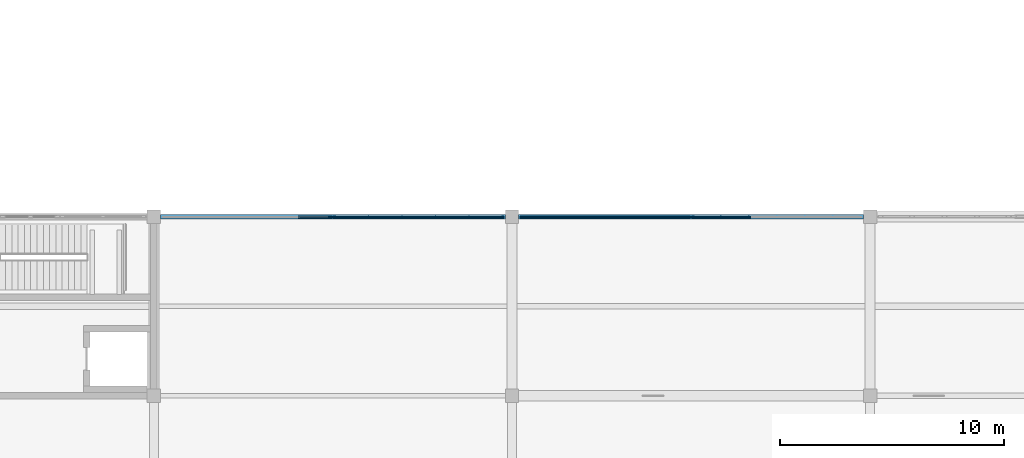
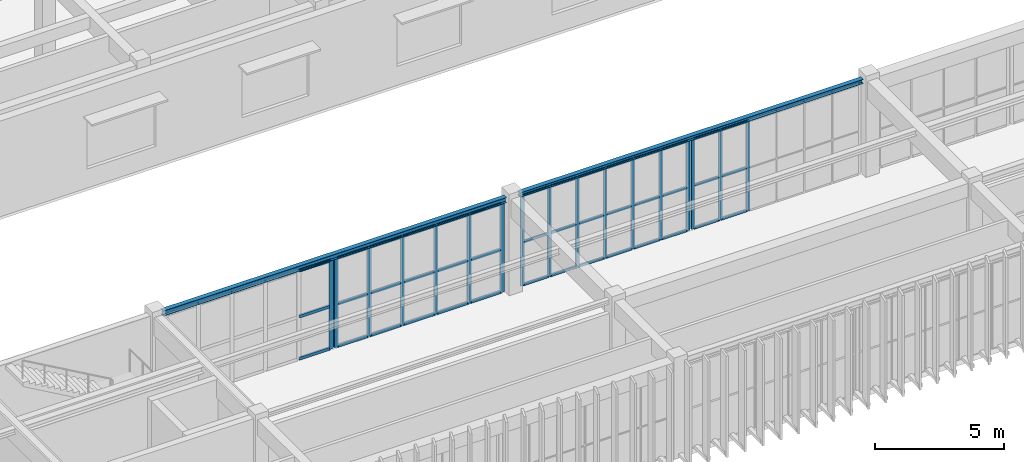
# One storey, part 18 of 64: 59 members, 2 beams, 4 elements without a shape of their own.
"""IFC4 building model written with IfcOpenShell, lengths in metres."""

from ifc_helpers import new_model, si_unit, direction, frame, origin, origin_2d, place, context, subcontext, project, spatial, rectangle, i_section, extrude, material, layer, layer_set, material_profile, profile_set, type_object, element, aggregate, save


model = new_model("IFC4")

# Units and contexts
model_context = context("Model", 3, precision=1e-05, world=origin(), true_north=direction((0.0, 1.0)))
body_context = subcontext(model_context, "Body", "Model", "MODEL_VIEW")
ifc_project = project(units=[si_unit("LENGTHUNIT", "METRE"), si_unit("AREAUNIT", "SQUARE_METRE"), si_unit("VOLUMEUNIT", "CUBIC_METRE"), si_unit("PLANEANGLEUNIT", "RADIAN"), si_unit("MASSUNIT", "GRAM", prefix="KILO")], contexts=[model_context])

# Site, building, storey
site_placement = place(None, origin())
site = spatial("IfcSite", under=ifc_project, at=site_placement, CompositionType="ELEMENT")
building_placement = place(site_placement, origin())
building = spatial("IfcBuilding", under=site, at=building_placement, Name="Cinchona Park Media Centre", CompositionType="ELEMENT")
storey_placement = place(building_placement, frame((0.0, 0.0, 5.39990234375)))
storey = spatial("IfcBuildingStorey", under=building, at=storey_placement, Name="L01", CompositionType="ELEMENT", Elevation=5.39990234375)

# Beams
ifc_material_1 = material(Name="Steel S355", Category="steel")
ifc_material_profile_1 = material_profile(ifc_material_1, i_section(OverallWidth=0.202880859375, OverallDepth=0.251953125, WebThickness=0.008056640625, FlangeThickness=0.013427734375, at=origin_2d()), Name="W250X58")
ifc_profile_set_1 = profile_set([ifc_material_profile_1], Name="Steel S355")
beam_type_1 = type_object("IfcBeamType", Name="BEAM-B09-W250X58", PredefinedType="BEAM", material=ifc_profile_set_1)
beam_1_placement = place(storey_placement, frame((95.10009765625, 87.60009765625, 4.4140625), z_axis=(1.0, 0.0, 0.0), x_axis=(0.0, 1.0, 0.0)))
element("IfcBeam", 1, at=beam_1_placement, inside=storey, type_object=beam_type_1, Name="Beam B09 L01", PredefinedType="BEAM", context=body_context, shape_type="SweptSolid", body=[
    extrude(i_section(OverallWidth=0.202880859375, OverallDepth=0.251953125, WebThickness=0.008056640625, FlangeThickness=0.013427734375, at=origin_2d()), origin(), (0.0, 0.0, 1.0), 15.39990234375),
])
ifc_material_2 = material(Name="Steel S355", Category="steel")
ifc_material_profile_2 = material_profile(ifc_material_2, i_section(OverallWidth=0.202880859375, OverallDepth=0.202880859375, WebThickness=0.007080078125, FlangeThickness=0.010986328125, at=origin_2d()), Name="W200X46")
ifc_profile_set_2 = profile_set([ifc_material_profile_2], Name="Steel S355")
beam_type_2 = type_object("IfcBeamType", Name="BEAM-B10-W200X46", PredefinedType="BEAM", material=ifc_profile_set_2)
beam_2_placement = place(storey_placement, frame((111.10009765625, 87.60009765625, 4.4384765625), z_axis=(1.0, 0.0, 0.0), x_axis=(0.0, 1.0, 0.0)))
element("IfcBeam", 2, at=beam_2_placement, inside=storey, type_object=beam_type_2, Name="Beam B10 L01", PredefinedType="BEAM", context=body_context, shape_type="SweptSolid", body=[
    extrude(i_section(OverallWidth=0.202880859375, OverallDepth=0.202880859375, WebThickness=0.007080078125, FlangeThickness=0.010986328125, at=origin_2d()), origin(), (0.0, 0.0, 1.0), 15.39990234375),
])

# Curtain wall, members
ifc_material_3 = material(Name="Aluminium Curtain Wall Framing", Category="aluminium")
ifc_layer_1 = layer(ifc_material_3, 0.179931640625)
ifc_layer_set_1 = layer_set([ifc_layer_1], Name="Aluminium Curtain Wall Framing")
curtain_wall_type_1 = type_object("IfcCurtainWallType", Name="CW-CW01", PredefinedType="USERDEFINED", material=ifc_layer_set_1)
curtain_wall_1_placement = place(storey_placement, origin())
curtain_wall_1 = element("IfcCurtainWall", 3, at=curtain_wall_1_placement, inside=storey, type_object=curtain_wall_type_1, Name="Curtain Wall CW01 L01", ObjectType="UNITISED CURTAIN WALL", PredefinedType="USERDEFINED")
ifc_material_4 = material(Name="Anodised Aluminium Alloy 6063-T6", Category="aluminium")
ifc_material_profile_3 = material_profile(ifc_material_4, rectangle(XDim=0.06494140625, YDim=0.159912109375, at=origin_2d()), Name="MUL-65X160")
ifc_profile_set_3 = profile_set([ifc_material_profile_3], Name="Anodised Aluminium Alloy 6063-T6")
member_type_1 = type_object("IfcMemberType", Name="MULLION-MUL01", PredefinedType="MULLION", material=ifc_profile_set_3)
member_1_placement = place(storey_placement, frame((111.25244140625, 87.60009765625, 0.050048828125), z_axis=(0.0, 0.0, 1.0), x_axis=(0.0, 1.0, 0.0)))
member_1 = element("IfcMember", 4, at=member_1_placement, type_object=member_type_1, Name="CW01 mullion 1", PredefinedType="MULLION", context=body_context, shape_type="SweptSolid", body=[
    extrude(rectangle(XDim=0.06494140625, YDim=0.159912109375, at=origin_2d()), origin(), (0.0, 0.0, 1.0), 4.287109375),
])
member_2_placement = place(storey_placement, frame((112.469970703125, 87.60009765625, 0.050048828125), z_axis=(0.0, 0.0, 1.0), x_axis=(0.0, 1.0, 0.0)))
member_2 = element("IfcMember", 5, at=member_2_placement, type_object=member_type_1, Name="CW01 mullion 2", PredefinedType="MULLION", context=body_context, shape_type="SweptSolid", body=[
    extrude(rectangle(XDim=0.06494140625, YDim=0.159912109375, at=origin_2d()), origin(), (0.0, 0.0, 1.0), 4.287109375),
])
member_3_placement = place(storey_placement, frame((113.719970703125, 87.60009765625, 0.050048828125), z_axis=(0.0, 0.0, 1.0), x_axis=(0.0, 1.0, 0.0)))
member_3 = element("IfcMember", 6, at=member_3_placement, type_object=member_type_1, Name="CW01 mullion 3", PredefinedType="MULLION", context=body_context, shape_type="SweptSolid", body=[
    extrude(rectangle(XDim=0.06494140625, YDim=0.159912109375, at=origin_2d()), origin(), (0.0, 0.0, 1.0), 4.287109375),
])
member_4_placement = place(storey_placement, frame((114.969970703125, 87.60009765625, 0.050048828125), z_axis=(0.0, 0.0, 1.0), x_axis=(0.0, 1.0, 0.0)))
member_4 = element("IfcMember", 7, at=member_4_placement, type_object=member_type_1, Name="CW01 mullion 4", PredefinedType="MULLION", context=body_context, shape_type="SweptSolid", body=[
    extrude(rectangle(XDim=0.06494140625, YDim=0.159912109375, at=origin_2d()), origin(), (0.0, 0.0, 1.0), 4.287109375),
])
member_5_placement = place(storey_placement, frame((116.219970703125, 87.60009765625, 0.050048828125), z_axis=(0.0, 0.0, 1.0), x_axis=(0.0, 1.0, 0.0)))
member_5 = element("IfcMember", 8, at=member_5_placement, type_object=member_type_1, Name="CW01 mullion 5", PredefinedType="MULLION", context=body_context, shape_type="SweptSolid", body=[
    extrude(rectangle(XDim=0.06494140625, YDim=0.159912109375, at=origin_2d()), origin(), (0.0, 0.0, 1.0), 4.287109375),
])
member_6_placement = place(storey_placement, frame((117.469970703125, 87.60009765625, 0.050048828125), z_axis=(0.0, 0.0, 1.0), x_axis=(0.0, 1.0, 0.0)))
member_6 = element("IfcMember", 9, at=member_6_placement, type_object=member_type_1, Name="CW01 mullion 6", PredefinedType="MULLION", context=body_context, shape_type="SweptSolid", body=[
    extrude(rectangle(XDim=0.06494140625, YDim=0.159912109375, at=origin_2d()), origin(), (0.0, 0.0, 1.0), 4.287109375),
])
member_7_placement = place(storey_placement, frame((118.6875, 87.60009765625, 0.050048828125), z_axis=(0.0, 0.0, 1.0), x_axis=(0.0, 1.0, 0.0)))
member_7 = element("IfcMember", 10, at=member_7_placement, type_object=member_type_1, Name="CW01 mullion 7", PredefinedType="MULLION", context=body_context, shape_type="SweptSolid", body=[
    extrude(rectangle(XDim=0.06494140625, YDim=0.159912109375, at=origin_2d()), origin(), (0.0, 0.0, 1.0), 4.287109375),
])

ifc_material_5 = material(Name="Aluminium Curtain Wall Framing", Category="aluminium")
ifc_layer_2 = layer(ifc_material_5, 0.195068359375)
ifc_layer_set_2 = layer_set([ifc_layer_2], Name="Aluminium Curtain Wall Framing")
curtain_wall_type_2 = type_object("IfcCurtainWallType", Name="CW-CW02", PredefinedType="USERDEFINED", material=ifc_layer_set_2)
curtain_wall_2_placement = place(storey_placement, origin())
curtain_wall_2 = element("IfcCurtainWall", 11, at=curtain_wall_2_placement, inside=storey, type_object=curtain_wall_type_2, Name="Curtain Wall CW02 L01", ObjectType="UNITISED CURTAIN WALL", PredefinedType="USERDEFINED")
member_8_placement = place(storey_placement, frame((118.91259765625, 87.60009765625, 0.050048828125), z_axis=(0.0, 0.0, 1.0), x_axis=(0.0, 1.0, 0.0)))
member_8 = element("IfcMember", 12, at=member_8_placement, type_object=member_type_1, Name="CW02 mullion 1", PredefinedType="MULLION", context=body_context, shape_type="SweptSolid", body=[
    extrude(rectangle(XDim=0.06494140625, YDim=0.159912109375, at=origin_2d()), origin(), (0.0, 0.0, 1.0), 4.287109375),
])
member_9_placement = place(storey_placement, frame((120.1298828125, 87.60009765625, 0.050048828125), z_axis=(0.0, 0.0, 1.0), x_axis=(0.0, 1.0, 0.0)))
member_9 = element("IfcMember", 13, at=member_9_placement, type_object=member_type_1, Name="CW02 mullion 2", PredefinedType="MULLION", context=body_context, shape_type="SweptSolid", body=[
    extrude(rectangle(XDim=0.06494140625, YDim=0.159912109375, at=origin_2d()), origin(), (0.0, 0.0, 1.0), 4.287109375),
])
member_10_placement = place(storey_placement, frame((121.3798828125, 87.60009765625, 0.050048828125), z_axis=(0.0, 0.0, 1.0), x_axis=(0.0, 1.0, 0.0)))
member_10 = element("IfcMember", 14, at=member_10_placement, type_object=member_type_1, Name="CW02 mullion 3", PredefinedType="MULLION", context=body_context, shape_type="SweptSolid", body=[
    extrude(rectangle(XDim=0.06494140625, YDim=0.159912109375, at=origin_2d()), origin(), (0.0, 0.0, 1.0), 4.287109375),
])

# Curtain wall, member
ifc_material_6 = material(Name="Aluminium Curtain Wall Framing", Category="aluminium")
ifc_layer_3 = layer(ifc_material_6, 0.284912109375)
ifc_layer_set_3 = layer_set([ifc_layer_3], Name="Aluminium Curtain Wall Framing")
curtain_wall_type_3 = type_object("IfcCurtainWallType", Name="CW-CW08", PredefinedType="USERDEFINED", material=ifc_layer_set_3)
curtain_wall_3_placement = place(storey_placement, origin())
curtain_wall_3 = element("IfcCurtainWall", 15, at=curtain_wall_3_placement, inside=storey, type_object=curtain_wall_type_3, Name="Curtain Wall CW08 L01", ObjectType="UNITISED CURTAIN WALL", PredefinedType="USERDEFINED")
ifc_material_7 = material(Name="Anodised Aluminium Alloy 6063-T6", Category="aluminium")
ifc_material_profile_4 = material_profile(ifc_material_7, rectangle(XDim=0.070068359375, YDim=0.179931640625, at=origin_2d()), Name="MUL-70X180")
ifc_profile_set_4 = profile_set([ifc_material_profile_4], Name="Anodised Aluminium Alloy 6063-T6")
member_type_2 = type_object("IfcMemberType", Name="MULLION-MUL02", PredefinedType="MULLION", material=ifc_profile_set_4)
member_11_placement = place(storey_placement, frame((102.68505859375, 87.60009765625, 0.050048828125), z_axis=(0.0, 0.0, 1.0), x_axis=(0.0, 1.0, 0.0)))
member_11 = element("IfcMember", 16, at=member_11_placement, type_object=member_type_2, Name="CW08 mullion 6", PredefinedType="MULLION", context=body_context, shape_type="SweptSolid", body=[
    extrude(rectangle(XDim=0.070068359375, YDim=0.179931640625, at=origin_2d()), origin(), (0.0, 0.0, 1.0), 4.238037109375),
])

# Curtain wall, members
ifc_material_8 = material(Name="Aluminium Curtain Wall Framing", Category="aluminium")
ifc_layer_4 = layer(ifc_material_8, 0.300048828125)
ifc_layer_set_4 = layer_set([ifc_layer_4], Name="Aluminium Curtain Wall Framing")
curtain_wall_type_4 = type_object("IfcCurtainWallType", Name="CW-CW09", PredefinedType="USERDEFINED", material=ifc_layer_set_4)
curtain_wall_4_placement = place(storey_placement, origin())
curtain_wall_4 = element("IfcCurtainWall", 17, at=curtain_wall_4_placement, inside=storey, type_object=curtain_wall_type_4, Name="Curtain Wall CW09 L01", ObjectType="UNITISED CURTAIN WALL", PredefinedType="USERDEFINED")
member_12_placement = place(storey_placement, frame((102.9150390625, 87.60009765625, 0.050048828125), z_axis=(0.0, 0.0, 1.0), x_axis=(0.0, 1.0, 0.0)))
member_12 = element("IfcMember", 18, at=member_12_placement, type_object=member_type_2, Name="CW09 mullion 1", PredefinedType="MULLION", context=body_context, shape_type="SweptSolid", body=[
    extrude(rectangle(XDim=0.070068359375, YDim=0.179931640625, at=origin_2d()), origin(), (0.0, 0.0, 1.0), 4.238037109375),
])
member_13_placement = place(storey_placement, frame((104.3798828125, 87.60009765625, 0.050048828125), z_axis=(0.0, 0.0, 1.0), x_axis=(0.0, 1.0, 0.0)))
member_13 = element("IfcMember", 19, at=member_13_placement, type_object=member_type_2, Name="CW09 mullion 2", PredefinedType="MULLION", context=body_context, shape_type="SweptSolid", body=[
    extrude(rectangle(XDim=0.070068359375, YDim=0.179931640625, at=origin_2d()), origin(), (0.0, 0.0, 1.0), 4.238037109375),
])
member_14_placement = place(storey_placement, frame((105.8798828125, 87.60009765625, 0.050048828125), z_axis=(0.0, 0.0, 1.0), x_axis=(0.0, 1.0, 0.0)))
member_14 = element("IfcMember", 20, at=member_14_placement, type_object=member_type_2, Name="CW09 mullion 3", PredefinedType="MULLION", context=body_context, shape_type="SweptSolid", body=[
    extrude(rectangle(XDim=0.070068359375, YDim=0.179931640625, at=origin_2d()), origin(), (0.0, 0.0, 1.0), 4.238037109375),
])
member_15_placement = place(storey_placement, frame((107.3798828125, 87.60009765625, 0.050048828125), z_axis=(0.0, 0.0, 1.0), x_axis=(0.0, 1.0, 0.0)))
member_15 = element("IfcMember", 21, at=member_15_placement, type_object=member_type_2, Name="CW09 mullion 4", PredefinedType="MULLION", context=body_context, shape_type="SweptSolid", body=[
    extrude(rectangle(XDim=0.070068359375, YDim=0.179931640625, at=origin_2d()), origin(), (0.0, 0.0, 1.0), 4.238037109375),
])
member_16_placement = place(storey_placement, frame((108.8798828125, 87.60009765625, 0.050048828125), z_axis=(0.0, 0.0, 1.0), x_axis=(0.0, 1.0, 0.0)))
member_16 = element("IfcMember", 22, at=member_16_placement, type_object=member_type_2, Name="CW09 mullion 5", PredefinedType="MULLION", context=body_context, shape_type="SweptSolid", body=[
    extrude(rectangle(XDim=0.070068359375, YDim=0.179931640625, at=origin_2d()), origin(), (0.0, 0.0, 1.0), 4.238037109375),
])
member_17_placement = place(storey_placement, frame((110.344970703125, 87.60009765625, 0.050048828125), z_axis=(0.0, 0.0, 1.0), x_axis=(0.0, 1.0, 0.0)))
member_17 = element("IfcMember", 23, at=member_17_placement, type_object=member_type_2, Name="CW09 mullion 6", PredefinedType="MULLION", context=body_context, shape_type="SweptSolid", body=[
    extrude(rectangle(XDim=0.070068359375, YDim=0.179931640625, at=origin_2d()), origin(), (0.0, 0.0, 1.0), 4.238037109375),
])

# Member
ifc_material_9 = material(Name="Anodised Aluminium Alloy 6063-T6", Category="aluminium")
ifc_material_profile_5 = material_profile(ifc_material_9, rectangle(XDim=0.06494140625, YDim=0.1201171875, at=origin_2d()), Name="TRN-65X120")
ifc_profile_set_5 = profile_set([ifc_material_profile_5], Name="Anodised Aluminium Alloy 6063-T6")
member_type_3 = type_object("IfcMemberType", Name="TRANSOM-TRN01", PredefinedType="USERDEFINED", material=ifc_profile_set_5)
member_18_placement = place(storey_placement, frame((111.284912109375, 87.60009765625, 0.08251953125), z_axis=(1.0, 0.0, 0.0), x_axis=(0.0, 1.0, 0.0)))
member_18 = element("IfcMember", 24, at=member_18_placement, type_object=member_type_3, Name="CW01 transom 1.1", ObjectType="TRANSOM", PredefinedType="USERDEFINED", context=body_context, shape_type="SweptSolid", body=[
    extrude(rectangle(XDim=0.06494140625, YDim=0.1201171875, at=origin_2d()), origin(), (0.0, 0.0, 1.0), 1.152587890625),
])

member_19_placement = place(storey_placement, frame((111.284912109375, 87.60009765625, 2.108154296875), z_axis=(1.0, 0.0, 0.0), x_axis=(0.0, 1.0, 0.0)))
member_19 = element("IfcMember", 25, at=member_19_placement, type_object=member_type_3, Name="CW01 transom 1.2", ObjectType="TRANSOM", PredefinedType="USERDEFINED", context=body_context, shape_type="SweptSolid", body=[
    extrude(rectangle(XDim=0.06494140625, YDim=0.1201171875, at=origin_2d()), origin(), (0.0, 0.0, 1.0), 1.152587890625),
])

member_20_placement = place(storey_placement, frame((111.284912109375, 87.60009765625, 4.3046875), z_axis=(1.0, 0.0, 0.0), x_axis=(0.0, 1.0, 0.0)))
member_20 = element("IfcMember", 26, at=member_20_placement, type_object=member_type_3, Name="CW01 transom 1.3", ObjectType="TRANSOM", PredefinedType="USERDEFINED", context=body_context, shape_type="SweptSolid", body=[
    extrude(rectangle(XDim=0.06494140625, YDim=0.1201171875, at=origin_2d()), origin(), (0.0, 0.0, 1.0), 1.152587890625),
])

member_21_placement = place(storey_placement, frame((112.50244140625, 87.60009765625, 0.08251953125), z_axis=(1.0, 0.0, 0.0), x_axis=(0.0, 1.0, 0.0)))
member_21 = element("IfcMember", 27, at=member_21_placement, type_object=member_type_3, Name="CW01 transom 2.1", ObjectType="TRANSOM", PredefinedType="USERDEFINED", context=body_context, shape_type="SweptSolid", body=[
    extrude(rectangle(XDim=0.06494140625, YDim=0.1201171875, at=origin_2d()), origin(), (0.0, 0.0, 1.0), 1.18505859375),
])

member_22_placement = place(storey_placement, frame((112.50244140625, 87.60009765625, 2.108154296875), z_axis=(1.0, 0.0, 0.0), x_axis=(0.0, 1.0, 0.0)))
member_22 = element("IfcMember", 28, at=member_22_placement, type_object=member_type_3, Name="CW01 transom 2.2", ObjectType="TRANSOM", PredefinedType="USERDEFINED", context=body_context, shape_type="SweptSolid", body=[
    extrude(rectangle(XDim=0.06494140625, YDim=0.1201171875, at=origin_2d()), origin(), (0.0, 0.0, 1.0), 1.18505859375),
])

member_23_placement = place(storey_placement, frame((112.50244140625, 87.60009765625, 4.3046875), z_axis=(1.0, 0.0, 0.0), x_axis=(0.0, 1.0, 0.0)))
member_23 = element("IfcMember", 29, at=member_23_placement, type_object=member_type_3, Name="CW01 transom 2.3", ObjectType="TRANSOM", PredefinedType="USERDEFINED", context=body_context, shape_type="SweptSolid", body=[
    extrude(rectangle(XDim=0.06494140625, YDim=0.1201171875, at=origin_2d()), origin(), (0.0, 0.0, 1.0), 1.18505859375),
])

member_24_placement = place(storey_placement, frame((113.75244140625, 87.60009765625, 0.08251953125), z_axis=(1.0, 0.0, 0.0), x_axis=(0.0, 1.0, 0.0)))
member_24 = element("IfcMember", 30, at=member_24_placement, type_object=member_type_3, Name="CW01 transom 3.1", ObjectType="TRANSOM", PredefinedType="USERDEFINED", context=body_context, shape_type="SweptSolid", body=[
    extrude(rectangle(XDim=0.06494140625, YDim=0.1201171875, at=origin_2d()), origin(), (0.0, 0.0, 1.0), 1.18505859375),
])

member_25_placement = place(storey_placement, frame((113.75244140625, 87.60009765625, 2.108154296875), z_axis=(1.0, 0.0, 0.0), x_axis=(0.0, 1.0, 0.0)))
member_25 = element("IfcMember", 31, at=member_25_placement, type_object=member_type_3, Name="CW01 transom 3.2", ObjectType="TRANSOM", PredefinedType="USERDEFINED", context=body_context, shape_type="SweptSolid", body=[
    extrude(rectangle(XDim=0.06494140625, YDim=0.1201171875, at=origin_2d()), origin(), (0.0, 0.0, 1.0), 1.18505859375),
])

member_26_placement = place(storey_placement, frame((113.75244140625, 87.60009765625, 4.3046875), z_axis=(1.0, 0.0, 0.0), x_axis=(0.0, 1.0, 0.0)))
member_26 = element("IfcMember", 32, at=member_26_placement, type_object=member_type_3, Name="CW01 transom 3.3", ObjectType="TRANSOM", PredefinedType="USERDEFINED", context=body_context, shape_type="SweptSolid", body=[
    extrude(rectangle(XDim=0.06494140625, YDim=0.1201171875, at=origin_2d()), origin(), (0.0, 0.0, 1.0), 1.18505859375),
])

member_27_placement = place(storey_placement, frame((115.00244140625, 87.60009765625, 0.08251953125), z_axis=(1.0, 0.0, 0.0), x_axis=(0.0, 1.0, 0.0)))
member_27 = element("IfcMember", 33, at=member_27_placement, type_object=member_type_3, Name="CW01 transom 4.1", ObjectType="TRANSOM", PredefinedType="USERDEFINED", context=body_context, shape_type="SweptSolid", body=[
    extrude(rectangle(XDim=0.06494140625, YDim=0.1201171875, at=origin_2d()), origin(), (0.0, 0.0, 1.0), 1.18505859375),
])

member_28_placement = place(storey_placement, frame((115.00244140625, 87.60009765625, 2.108154296875), z_axis=(1.0, 0.0, 0.0), x_axis=(0.0, 1.0, 0.0)))
member_28 = element("IfcMember", 34, at=member_28_placement, type_object=member_type_3, Name="CW01 transom 4.2", ObjectType="TRANSOM", PredefinedType="USERDEFINED", context=body_context, shape_type="SweptSolid", body=[
    extrude(rectangle(XDim=0.06494140625, YDim=0.1201171875, at=origin_2d()), origin(), (0.0, 0.0, 1.0), 1.18505859375),
])

member_29_placement = place(storey_placement, frame((115.00244140625, 87.60009765625, 4.3046875), z_axis=(1.0, 0.0, 0.0), x_axis=(0.0, 1.0, 0.0)))
member_29 = element("IfcMember", 35, at=member_29_placement, type_object=member_type_3, Name="CW01 transom 4.3", ObjectType="TRANSOM", PredefinedType="USERDEFINED", context=body_context, shape_type="SweptSolid", body=[
    extrude(rectangle(XDim=0.06494140625, YDim=0.1201171875, at=origin_2d()), origin(), (0.0, 0.0, 1.0), 1.18505859375),
])

member_30_placement = place(storey_placement, frame((116.25244140625, 87.60009765625, 0.08251953125), z_axis=(1.0, 0.0, 0.0), x_axis=(0.0, 1.0, 0.0)))
member_30 = element("IfcMember", 36, at=member_30_placement, type_object=member_type_3, Name="CW01 transom 5.1", ObjectType="TRANSOM", PredefinedType="USERDEFINED", context=body_context, shape_type="SweptSolid", body=[
    extrude(rectangle(XDim=0.06494140625, YDim=0.1201171875, at=origin_2d()), origin(), (0.0, 0.0, 1.0), 1.18505859375),
])

member_31_placement = place(storey_placement, frame((116.25244140625, 87.60009765625, 2.108154296875), z_axis=(1.0, 0.0, 0.0), x_axis=(0.0, 1.0, 0.0)))
member_31 = element("IfcMember", 37, at=member_31_placement, type_object=member_type_3, Name="CW01 transom 5.2", ObjectType="TRANSOM", PredefinedType="USERDEFINED", context=body_context, shape_type="SweptSolid", body=[
    extrude(rectangle(XDim=0.06494140625, YDim=0.1201171875, at=origin_2d()), origin(), (0.0, 0.0, 1.0), 1.18505859375),
])

member_32_placement = place(storey_placement, frame((116.25244140625, 87.60009765625, 4.3046875), z_axis=(1.0, 0.0, 0.0), x_axis=(0.0, 1.0, 0.0)))
member_32 = element("IfcMember", 38, at=member_32_placement, type_object=member_type_3, Name="CW01 transom 5.3", ObjectType="TRANSOM", PredefinedType="USERDEFINED", context=body_context, shape_type="SweptSolid", body=[
    extrude(rectangle(XDim=0.06494140625, YDim=0.1201171875, at=origin_2d()), origin(), (0.0, 0.0, 1.0), 1.18505859375),
])

member_33_placement = place(storey_placement, frame((117.50244140625, 87.60009765625, 0.08251953125), z_axis=(1.0, 0.0, 0.0), x_axis=(0.0, 1.0, 0.0)))
member_33 = element("IfcMember", 39, at=member_33_placement, type_object=member_type_3, Name="CW01 transom 6.1", ObjectType="TRANSOM", PredefinedType="USERDEFINED", context=body_context, shape_type="SweptSolid", body=[
    extrude(rectangle(XDim=0.06494140625, YDim=0.1201171875, at=origin_2d()), origin(), (0.0, 0.0, 1.0), 1.152587890625),
])

member_34_placement = place(storey_placement, frame((117.50244140625, 87.60009765625, 2.108154296875), z_axis=(1.0, 0.0, 0.0), x_axis=(0.0, 1.0, 0.0)))
member_34 = element("IfcMember", 40, at=member_34_placement, type_object=member_type_3, Name="CW01 transom 6.2", ObjectType="TRANSOM", PredefinedType="USERDEFINED", context=body_context, shape_type="SweptSolid", body=[
    extrude(rectangle(XDim=0.06494140625, YDim=0.1201171875, at=origin_2d()), origin(), (0.0, 0.0, 1.0), 1.152587890625),
])

member_35_placement = place(storey_placement, frame((117.50244140625, 87.60009765625, 4.3046875), z_axis=(1.0, 0.0, 0.0), x_axis=(0.0, 1.0, 0.0)))
member_35 = element("IfcMember", 41, at=member_35_placement, type_object=member_type_3, Name="CW01 transom 6.3", ObjectType="TRANSOM", PredefinedType="USERDEFINED", context=body_context, shape_type="SweptSolid", body=[
    extrude(rectangle(XDim=0.06494140625, YDim=0.1201171875, at=origin_2d()), origin(), (0.0, 0.0, 1.0), 1.152587890625),
])

aggregate(curtain_wall_1, [member_1, member_2, member_3, member_4, member_5, member_6, member_7, member_18, member_19, member_20, member_21, member_22, member_23, member_24, member_25, member_26, member_27, member_28, member_29, member_30, member_31, member_32, member_33, member_34, member_35])

member_36_placement = place(storey_placement, frame((118.945068359375, 87.60009765625, 0.08251953125), z_axis=(1.0, 0.0, 0.0), x_axis=(0.0, 1.0, 0.0)))
member_36 = element("IfcMember", 42, at=member_36_placement, type_object=member_type_3, Name="CW02 transom 1.1", ObjectType="TRANSOM", PredefinedType="USERDEFINED", context=body_context, shape_type="SweptSolid", body=[
    extrude(rectangle(XDim=0.06494140625, YDim=0.1201171875, at=origin_2d()), origin(), (0.0, 0.0, 1.0), 1.15234375),
])

member_37_placement = place(storey_placement, frame((118.945068359375, 87.60009765625, 2.108154296875), z_axis=(1.0, 0.0, 0.0), x_axis=(0.0, 1.0, 0.0)))
member_37 = element("IfcMember", 43, at=member_37_placement, type_object=member_type_3, Name="CW02 transom 1.2", ObjectType="TRANSOM", PredefinedType="USERDEFINED", context=body_context, shape_type="SweptSolid", body=[
    extrude(rectangle(XDim=0.06494140625, YDim=0.1201171875, at=origin_2d()), origin(), (0.0, 0.0, 1.0), 1.15234375),
])

member_38_placement = place(storey_placement, frame((118.945068359375, 87.60009765625, 4.3046875), z_axis=(1.0, 0.0, 0.0), x_axis=(0.0, 1.0, 0.0)))
member_38 = element("IfcMember", 44, at=member_38_placement, type_object=member_type_3, Name="CW02 transom 1.3", ObjectType="TRANSOM", PredefinedType="USERDEFINED", context=body_context, shape_type="SweptSolid", body=[
    extrude(rectangle(XDim=0.06494140625, YDim=0.1201171875, at=origin_2d()), origin(), (0.0, 0.0, 1.0), 1.15234375),
])

member_39_placement = place(storey_placement, frame((120.16259765625, 87.60009765625, 0.08251953125), z_axis=(1.0, 0.0, 0.0), x_axis=(0.0, 1.0, 0.0)))
member_39 = element("IfcMember", 45, at=member_39_placement, type_object=member_type_3, Name="CW02 transom 2.1", ObjectType="TRANSOM", PredefinedType="USERDEFINED", context=body_context, shape_type="SweptSolid", body=[
    extrude(rectangle(XDim=0.06494140625, YDim=0.1201171875, at=origin_2d()), origin(), (0.0, 0.0, 1.0), 1.184814453125),
])

member_40_placement = place(storey_placement, frame((120.16259765625, 87.60009765625, 2.108154296875), z_axis=(1.0, 0.0, 0.0), x_axis=(0.0, 1.0, 0.0)))
member_40 = element("IfcMember", 46, at=member_40_placement, type_object=member_type_3, Name="CW02 transom 2.2", ObjectType="TRANSOM", PredefinedType="USERDEFINED", context=body_context, shape_type="SweptSolid", body=[
    extrude(rectangle(XDim=0.06494140625, YDim=0.1201171875, at=origin_2d()), origin(), (0.0, 0.0, 1.0), 1.184814453125),
])

member_41_placement = place(storey_placement, frame((120.16259765625, 87.60009765625, 4.3046875), z_axis=(1.0, 0.0, 0.0), x_axis=(0.0, 1.0, 0.0)))
member_41 = element("IfcMember", 47, at=member_41_placement, type_object=member_type_3, Name="CW02 transom 2.3", ObjectType="TRANSOM", PredefinedType="USERDEFINED", context=body_context, shape_type="SweptSolid", body=[
    extrude(rectangle(XDim=0.06494140625, YDim=0.1201171875, at=origin_2d()), origin(), (0.0, 0.0, 1.0), 1.184814453125),
])

aggregate(curtain_wall_2, [member_8, member_9, member_10, member_36, member_37, member_38, member_39, member_40, member_41])

ifc_material_10 = material(Name="Anodised Aluminium Alloy 6063-T6", Category="aluminium")
ifc_material_profile_6 = material_profile(ifc_material_10, rectangle(XDim=0.070068359375, YDim=0.139892578125, at=origin_2d()), Name="TRN-70X140")
ifc_profile_set_6 = profile_set([ifc_material_profile_6], Name="Anodised Aluminium Alloy 6063-T6")
member_type_4 = type_object("IfcMemberType", Name="TRANSOM-TRN02", PredefinedType="USERDEFINED", material=ifc_profile_set_6)
member_42_placement = place(storey_placement, frame((101.2548828125, 87.60009765625, 0.085205078125), z_axis=(1.0, 0.0, 0.0), x_axis=(0.0, 1.0, 0.0)))
member_42 = element("IfcMember", 48, at=member_42_placement, type_object=member_type_4, Name="CW08 transom 5.1", ObjectType="TRANSOM", PredefinedType="USERDEFINED", context=body_context, shape_type="SweptSolid", body=[
    extrude(rectangle(XDim=0.070068359375, YDim=0.139892578125, at=origin_2d()), origin(), (0.0, 0.0, 1.0), 1.39501953125),
])

member_43_placement = place(storey_placement, frame((101.2548828125, 87.60009765625, 2.083984375), z_axis=(1.0, 0.0, 0.0), x_axis=(0.0, 1.0, 0.0)))
member_43 = element("IfcMember", 49, at=member_43_placement, type_object=member_type_4, Name="CW08 transom 5.2", ObjectType="TRANSOM", PredefinedType="USERDEFINED", context=body_context, shape_type="SweptSolid", body=[
    extrude(rectangle(XDim=0.070068359375, YDim=0.139892578125, at=origin_2d()), origin(), (0.0, 0.0, 1.0), 1.39501953125),
])

member_44_placement = place(storey_placement, frame((101.2548828125, 87.60009765625, 4.253173828125), z_axis=(1.0, 0.0, 0.0), x_axis=(0.0, 1.0, 0.0)))
member_44 = element("IfcMember", 50, at=member_44_placement, type_object=member_type_4, Name="CW08 transom 5.3", ObjectType="TRANSOM", PredefinedType="USERDEFINED", context=body_context, shape_type="SweptSolid", body=[
    extrude(rectangle(XDim=0.070068359375, YDim=0.139892578125, at=origin_2d()), origin(), (0.0, 0.0, 1.0), 1.39501953125),
])

aggregate(curtain_wall_3, [member_11, member_42, member_43, member_44])

member_45_placement = place(storey_placement, frame((102.949951171875, 87.60009765625, 0.085205078125), z_axis=(1.0, 0.0, 0.0), x_axis=(0.0, 1.0, 0.0)))
member_45 = element("IfcMember", 51, at=member_45_placement, type_object=member_type_4, Name="CW09 transom 1.1", ObjectType="TRANSOM", PredefinedType="USERDEFINED", context=body_context, shape_type="SweptSolid", body=[
    extrude(rectangle(XDim=0.070068359375, YDim=0.139892578125, at=origin_2d()), origin(), (0.0, 0.0, 1.0), 1.39501953125),
])

member_46_placement = place(storey_placement, frame((102.949951171875, 87.60009765625, 2.083984375), z_axis=(1.0, 0.0, 0.0), x_axis=(0.0, 1.0, 0.0)))
member_46 = element("IfcMember", 52, at=member_46_placement, type_object=member_type_4, Name="CW09 transom 1.2", ObjectType="TRANSOM", PredefinedType="USERDEFINED", context=body_context, shape_type="SweptSolid", body=[
    extrude(rectangle(XDim=0.070068359375, YDim=0.139892578125, at=origin_2d()), origin(), (0.0, 0.0, 1.0), 1.39501953125),
])

member_47_placement = place(storey_placement, frame((102.949951171875, 87.60009765625, 4.253173828125), z_axis=(1.0, 0.0, 0.0), x_axis=(0.0, 1.0, 0.0)))
member_47 = element("IfcMember", 53, at=member_47_placement, type_object=member_type_4, Name="CW09 transom 1.3", ObjectType="TRANSOM", PredefinedType="USERDEFINED", context=body_context, shape_type="SweptSolid", body=[
    extrude(rectangle(XDim=0.070068359375, YDim=0.139892578125, at=origin_2d()), origin(), (0.0, 0.0, 1.0), 1.39501953125),
])

member_48_placement = place(storey_placement, frame((104.4150390625, 87.60009765625, 0.085205078125), z_axis=(1.0, 0.0, 0.0), x_axis=(0.0, 1.0, 0.0)))
member_48 = element("IfcMember", 54, at=member_48_placement, type_object=member_type_4, Name="CW09 transom 2.1", ObjectType="TRANSOM", PredefinedType="USERDEFINED", context=body_context, shape_type="SweptSolid", body=[
    extrude(rectangle(XDim=0.070068359375, YDim=0.139892578125, at=origin_2d()), origin(), (0.0, 0.0, 1.0), 1.429931640625),
])

member_49_placement = place(storey_placement, frame((104.4150390625, 87.60009765625, 2.083984375), z_axis=(1.0, 0.0, 0.0), x_axis=(0.0, 1.0, 0.0)))
member_49 = element("IfcMember", 55, at=member_49_placement, type_object=member_type_4, Name="CW09 transom 2.2", ObjectType="TRANSOM", PredefinedType="USERDEFINED", context=body_context, shape_type="SweptSolid", body=[
    extrude(rectangle(XDim=0.070068359375, YDim=0.139892578125, at=origin_2d()), origin(), (0.0, 0.0, 1.0), 1.429931640625),
])

member_50_placement = place(storey_placement, frame((104.4150390625, 87.60009765625, 4.253173828125), z_axis=(1.0, 0.0, 0.0), x_axis=(0.0, 1.0, 0.0)))
member_50 = element("IfcMember", 56, at=member_50_placement, type_object=member_type_4, Name="CW09 transom 2.3", ObjectType="TRANSOM", PredefinedType="USERDEFINED", context=body_context, shape_type="SweptSolid", body=[
    extrude(rectangle(XDim=0.070068359375, YDim=0.139892578125, at=origin_2d()), origin(), (0.0, 0.0, 1.0), 1.429931640625),
])

member_51_placement = place(storey_placement, frame((105.9150390625, 87.60009765625, 0.085205078125), z_axis=(1.0, 0.0, 0.0), x_axis=(0.0, 1.0, 0.0)))
member_51 = element("IfcMember", 57, at=member_51_placement, type_object=member_type_4, Name="CW09 transom 3.1", ObjectType="TRANSOM", PredefinedType="USERDEFINED", context=body_context, shape_type="SweptSolid", body=[
    extrude(rectangle(XDim=0.070068359375, YDim=0.139892578125, at=origin_2d()), origin(), (0.0, 0.0, 1.0), 1.429931640625),
])

member_52_placement = place(storey_placement, frame((105.9150390625, 87.60009765625, 2.083984375), z_axis=(1.0, 0.0, 0.0), x_axis=(0.0, 1.0, 0.0)))
member_52 = element("IfcMember", 58, at=member_52_placement, type_object=member_type_4, Name="CW09 transom 3.2", ObjectType="TRANSOM", PredefinedType="USERDEFINED", context=body_context, shape_type="SweptSolid", body=[
    extrude(rectangle(XDim=0.070068359375, YDim=0.139892578125, at=origin_2d()), origin(), (0.0, 0.0, 1.0), 1.429931640625),
])

member_53_placement = place(storey_placement, frame((105.9150390625, 87.60009765625, 4.253173828125), z_axis=(1.0, 0.0, 0.0), x_axis=(0.0, 1.0, 0.0)))
member_53 = element("IfcMember", 59, at=member_53_placement, type_object=member_type_4, Name="CW09 transom 3.3", ObjectType="TRANSOM", PredefinedType="USERDEFINED", context=body_context, shape_type="SweptSolid", body=[
    extrude(rectangle(XDim=0.070068359375, YDim=0.139892578125, at=origin_2d()), origin(), (0.0, 0.0, 1.0), 1.429931640625),
])

member_54_placement = place(storey_placement, frame((107.4150390625, 87.60009765625, 0.085205078125), z_axis=(1.0, 0.0, 0.0), x_axis=(0.0, 1.0, 0.0)))
member_54 = element("IfcMember", 60, at=member_54_placement, type_object=member_type_4, Name="CW09 transom 4.1", ObjectType="TRANSOM", PredefinedType="USERDEFINED", context=body_context, shape_type="SweptSolid", body=[
    extrude(rectangle(XDim=0.070068359375, YDim=0.139892578125, at=origin_2d()), origin(), (0.0, 0.0, 1.0), 1.429931640625),
])

member_55_placement = place(storey_placement, frame((107.4150390625, 87.60009765625, 2.083984375), z_axis=(1.0, 0.0, 0.0), x_axis=(0.0, 1.0, 0.0)))
member_55 = element("IfcMember", 61, at=member_55_placement, type_object=member_type_4, Name="CW09 transom 4.2", ObjectType="TRANSOM", PredefinedType="USERDEFINED", context=body_context, shape_type="SweptSolid", body=[
    extrude(rectangle(XDim=0.070068359375, YDim=0.139892578125, at=origin_2d()), origin(), (0.0, 0.0, 1.0), 1.429931640625),
])

member_56_placement = place(storey_placement, frame((107.4150390625, 87.60009765625, 4.253173828125), z_axis=(1.0, 0.0, 0.0), x_axis=(0.0, 1.0, 0.0)))
member_56 = element("IfcMember", 62, at=member_56_placement, type_object=member_type_4, Name="CW09 transom 4.3", ObjectType="TRANSOM", PredefinedType="USERDEFINED", context=body_context, shape_type="SweptSolid", body=[
    extrude(rectangle(XDim=0.070068359375, YDim=0.139892578125, at=origin_2d()), origin(), (0.0, 0.0, 1.0), 1.429931640625),
])

member_57_placement = place(storey_placement, frame((108.9150390625, 87.60009765625, 0.085205078125), z_axis=(1.0, 0.0, 0.0), x_axis=(0.0, 1.0, 0.0)))
member_57 = element("IfcMember", 63, at=member_57_placement, type_object=member_type_4, Name="CW09 transom 5.1", ObjectType="TRANSOM", PredefinedType="USERDEFINED", context=body_context, shape_type="SweptSolid", body=[
    extrude(rectangle(XDim=0.070068359375, YDim=0.139892578125, at=origin_2d()), origin(), (0.0, 0.0, 1.0), 1.39501953125),
])

member_58_placement = place(storey_placement, frame((108.9150390625, 87.60009765625, 2.083984375), z_axis=(1.0, 0.0, 0.0), x_axis=(0.0, 1.0, 0.0)))
member_58 = element("IfcMember", 64, at=member_58_placement, type_object=member_type_4, Name="CW09 transom 5.2", ObjectType="TRANSOM", PredefinedType="USERDEFINED", context=body_context, shape_type="SweptSolid", body=[
    extrude(rectangle(XDim=0.070068359375, YDim=0.139892578125, at=origin_2d()), origin(), (0.0, 0.0, 1.0), 1.39501953125),
])

member_59_placement = place(storey_placement, frame((108.9150390625, 87.60009765625, 4.253173828125), z_axis=(1.0, 0.0, 0.0), x_axis=(0.0, 1.0, 0.0)))
member_59 = element("IfcMember", 65, at=member_59_placement, type_object=member_type_4, Name="CW09 transom 5.3", ObjectType="TRANSOM", PredefinedType="USERDEFINED", context=body_context, shape_type="SweptSolid", body=[
    extrude(rectangle(XDim=0.070068359375, YDim=0.139892578125, at=origin_2d()), origin(), (0.0, 0.0, 1.0), 1.39501953125),
])

aggregate(curtain_wall_4, [member_12, member_13, member_14, member_15, member_16, member_17, member_45, member_46, member_47, member_48, member_49, member_50, member_51, member_52, member_53, member_54, member_55, member_56, member_57, member_58, member_59])

save(model, "model.ifc")
